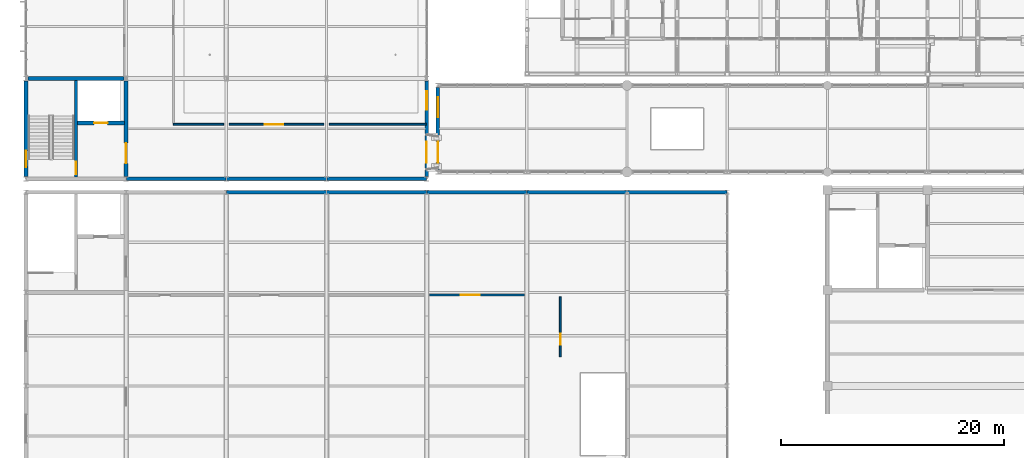
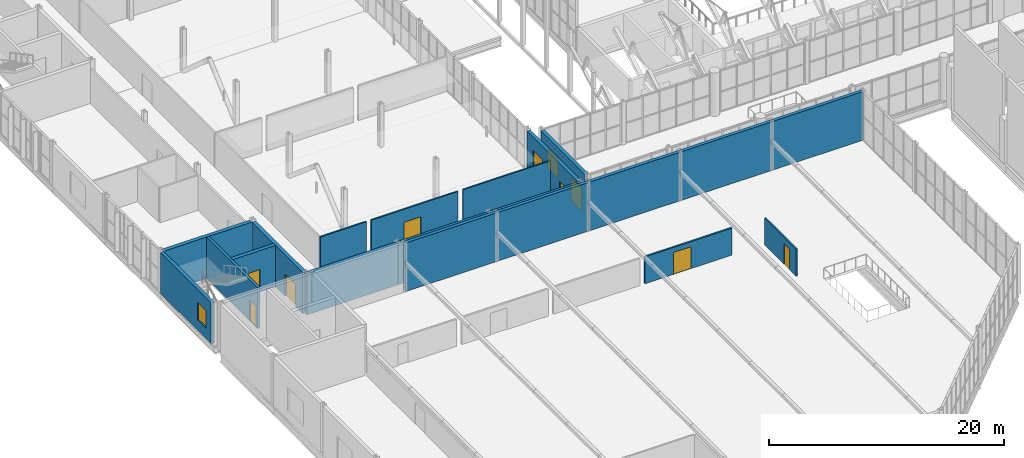
# One storey, part 112 of 134: 20 walls, 8 doors, 3 windows, 11 openings.
"""IFC4 building model written with IfcOpenShell, lengths in metres."""

from ifc_helpers import new_model, si_unit, direction, frame, frame_2d, origin, place, context, subcontext, project, spatial, rectangle, extrude, material, layer, layer_set, type_object, element, fill, save


model = new_model("IFC4")

# Units and contexts
model_context = context("Model", 3, precision=1e-05, world=origin(), true_north=direction((0.0, 1.0)))
body_context = subcontext(model_context, "Body", "Model", "MODEL_VIEW")
ifc_project = project(units=[si_unit("LENGTHUNIT", "METRE"), si_unit("AREAUNIT", "SQUARE_METRE"), si_unit("VOLUMEUNIT", "CUBIC_METRE"), si_unit("PLANEANGLEUNIT", "RADIAN"), si_unit("MASSUNIT", "GRAM", prefix="KILO")], contexts=[model_context])

# Site, building, storey
site_placement = place(None, origin())
site = spatial("IfcSite", under=ifc_project, at=site_placement, CompositionType="ELEMENT")
building_placement = place(site_placement, origin())
building = spatial("IfcBuilding", under=site, at=building_placement, Name="Cazmaro Siding Exhibition Halls", CompositionType="ELEMENT")
storey_placement = place(building_placement, frame((0.0, 0.0, 12.0)))
storey = spatial("IfcBuildingStorey", under=building, at=storey_placement, Name="L02", CompositionType="ELEMENT", Elevation=12.0)

# Wall, openings, door, window
ifc_material_1 = material(Name="Concrete f'c 45 MPa", Category="concrete")
ifc_layer_1 = layer(ifc_material_1, 0.320068359375)
ifc_layer_set_1 = layer_set([ifc_layer_1], Name="Concrete f'c 45 MPa")
wall_type_1 = type_object("IfcWallType", Name="EW-01", PredefinedType="STANDARD", material=ifc_layer_set_1)
wall_1_placement = place(storey_placement, frame((37.0, 55.3759765625, 0.0), z_axis=(0.0, 0.0, 1.0), x_axis=(0.0, 1.0, 0.0)))
wall_1 = element("IfcWall", 1, at=wall_1_placement, inside=storey, type_object=wall_type_1, Name="Concourse Bridge SB-04 Portal L02 EW-01 WL-E0186", PredefinedType="STANDARD", context=body_context, shape_type="SweptSolid", body=[
    extrude(rectangle(XDim=7.447998046875, YDim=0.320068359375, at=frame_2d((3.72412109375, 0.0))), origin(), (0.0, 0.0, 1.0), 4.324951171875),
])
opening_1_placement = place(wall_1_placement, frame((0.674072265625, 0.0, 0.0)))
opening_1 = element("IfcOpeningElement", 2, at=opening_1_placement, cuts=wall_1, Name="Opening D-E053", PredefinedType="OPENING", context=body_context, shape_type="SweptSolid", body=[
    extrude(rectangle(XDim=1.89990234375, YDim=2.3798828125, at=frame_2d((0.949951171875, 1.18994140625))), frame((0.0, 0.169921875, 0.0), z_axis=(0.0, -1.0, 0.0), x_axis=(1.0, 0.0, 0.0)), (0.0, 0.0, 1.0), 0.340087890625),
])
opening_2_placement = place(wall_1_placement, frame((4.748046875, 0.0, 1.0)))
opening_2 = element("IfcOpeningElement", 3, at=opening_2_placement, cuts=wall_1, Name="Opening W-056", PredefinedType="OPENING", context=body_context, shape_type="SweptSolid", body=[
    extrude(rectangle(XDim=1.800048828125, YDim=1.949951171875, at=frame_2d((0.89990234375, 0.97509765625))), frame((0.0, 0.169921875, 0.0), z_axis=(0.0, -1.0, 0.0), x_axis=(1.0, 0.0, 0.0)), (0.0, 0.0, 1.0), 0.340087890625),
])
ifc_material_2 = material(Name="Anodized Bronze Glazed Entrance Door", Category="aluminium")
door_type_1 = type_object("IfcDoorType", Name="ED-08", OperationType="DOUBLE_DOOR_SLIDING", PredefinedType="DOOR", material=ifc_material_2)
door_1_placement = place(opening_1_placement, origin())
door_1 = element("IfcDoor", 4, at=door_1_placement, inside=storey, type_object=door_type_1, Name="Exterior door D-E053 (ED-08)", OperationType="DOUBLE_DOOR_SLIDING", OverallHeight=2.3798828125, OverallWidth=1.89990234375, PredefinedType="DOOR", context=body_context, shape_type="SweptSolid", body=[
    extrude(rectangle(XDim=1.89990234375, YDim=2.3798828125, at=frame_2d((0.949951171875, 1.18994140625))), frame((0.0, 0.02490234375, 0.0), z_axis=(0.0, -1.0, 0.0), x_axis=(1.0, 0.0, 0.0)), (0.0, 0.0, 1.0), 0.050048828125),
])
fill(opening_1, door_1)
ifc_material_3 = material(Name="Thermally Broken Aluminum Low-E Window Unit", Category="aluminium")
window_type_1 = type_object("IfcWindowType", Name="WT-03", PartitioningType="SINGLE_PANEL", PredefinedType="WINDOW", material=ifc_material_3)
window_1_placement = place(opening_2_placement, origin())
window_1 = element("IfcWindow", 5, at=window_1_placement, inside=storey, type_object=window_type_1, Name="Window W-056 (WT-03)", OverallHeight=1.949951171875, OverallWidth=1.800048828125, PartitioningType="SINGLE_PANEL", PredefinedType="WINDOW", context=body_context, shape_type="SweptSolid", body=[
    extrude(rectangle(XDim=1.800048828125, YDim=1.949951171875, at=frame_2d((0.89990234375, 0.97509765625))), frame((0.0, 0.030029296875, 0.0), z_axis=(0.0, -1.0, 0.0), x_axis=(1.0, 0.0, 0.0)), (0.0, 0.0, 1.0), 0.06005859375),
])
fill(opening_2, window_1)

# Walls
for number, where, z_axis, x_axis, name in (
    (6, (18.014892578125, 53.39990234375, 0.0), (0.0, 0.0, 1.0), (1.0, 0.0, 0.0), "Congress North Banquet Wall EW-01 WL-E0228"),
    (7, (27.014892578125, 53.39990234375, 0.0), (0.0, 0.0, 1.0), (1.0, 0.0, 0.0), "Congress North Banquet Wall EW-01 WL-E0231"),
    (8, (36.014892578125, 53.39990234375, 0.0), (0.0, 0.0, 1.0), (1.0, 0.0, 0.0), "Congress North Banquet Wall EW-01 WL-E0234"),
    (9, (45.014892578125, 53.39990234375, 0.0), (0.0, 0.0, 1.0), (1.0, 0.0, 0.0), "Congress North Banquet Wall EW-01 WL-E0237"),
    (10, (54.014892578125, 53.39990234375, 0.0), (0.0, 0.0, 1.0), (1.0, 0.0, 0.0), "Congress North Banquet Wall EW-01 WL-E0240"),
):
    element("IfcWall", number, at=place(storey_placement, frame(where, z_axis=z_axis, x_axis=x_axis)), inside=storey, type_object=wall_type_1, Name=name, PredefinedType="STANDARD", context=body_context, shape_type="SweptSolid", body=[
        extrude(rectangle(XDim=8.97021484375, YDim=0.320068359375, at=frame_2d((4.485107421875, 0.0))), origin(), (0.0, 0.0, 1.0), 5.050048828125),
    ])

# Wall, opening, window
wall_2_placement = place(storey_placement, frame((0.0, 54.7939453125, 0.0), z_axis=(0.0, 0.0, 1.0), x_axis=(0.0, 1.0, 0.0)))
wall_2 = element("IfcWall", 11, at=wall_2_placement, inside=storey, type_object=wall_type_1, Name="West Wing Core Street Wall L02 EW-01 WL-E0280", PredefinedType="STANDARD", context=body_context, shape_type="SweptSolid", body=[
    extrude(rectangle(XDim=8.612060546875, YDim=0.320068359375, at=frame_2d((4.30615234375, 0.0))), origin(), (0.0, 0.0, 1.0), 4.280029296875),
])
opening_3_placement = place(wall_2_placement, frame((0.85009765625, 0.0, 1.10009765625)))
opening_3 = element("IfcOpeningElement", 12, at=opening_3_placement, cuts=wall_2, Name="Opening W-087", PredefinedType="OPENING", context=body_context, shape_type="SweptSolid", body=[
    extrude(rectangle(XDim=1.5, YDim=1.800048828125, at=frame_2d((0.75, 0.89990234375))), frame((0.0, 0.169921875, 0.0), z_axis=(0.0, -1.0, 0.0), x_axis=(1.0, 0.0, 0.0)), (0.0, 0.0, 1.0), 0.340087890625),
])
ifc_material_4 = material(Name="Thermally Broken Aluminum Low-E Window Unit", Category="aluminium")
window_type_2 = type_object("IfcWindowType", Name="WT-01", PartitioningType="SINGLE_PANEL", PredefinedType="WINDOW", material=ifc_material_4)
window_2_placement = place(opening_3_placement, origin())
window_2 = element("IfcWindow", 13, at=window_2_placement, inside=storey, type_object=window_type_2, Name="Window W-087 (WT-01)", OverallHeight=1.800048828125, OverallWidth=1.5, PartitioningType="SINGLE_PANEL", PredefinedType="WINDOW", context=body_context, shape_type="SweptSolid", body=[
    extrude(rectangle(XDim=1.5, YDim=1.800048828125, at=frame_2d((0.75, 0.89990234375))), frame((0.0, 0.030029296875, 0.0), z_axis=(0.0, -1.0, 0.0), x_axis=(1.0, 0.0, 0.0)), (0.0, 0.0, 1.0), 0.06005859375),
])
fill(opening_3, window_2)

# Wall, openings, door, window
wall_3_placement = place(storey_placement, frame((36.0, 63.406005859375, 0.0), z_axis=(0.0, 0.0, 1.0), x_axis=(0.0, -1.0, 0.0)))
wall_3 = element("IfcWall", 14, at=wall_3_placement, inside=storey, type_object=wall_type_1, Name="Concourse Bridge Portal Wall L02 EW-01 WL-E0281", PredefinedType="STANDARD", context=body_context, shape_type="SweptSolid", body=[
    extrude(rectangle(XDim=8.612060546875, YDim=0.320068359375, at=frame_2d((4.30615234375, 0.0))), origin(), (0.0, 0.0, 1.0), 4.280029296875),
])
opening_4_placement = place(wall_3_placement, frame((5.4560546875, 0.0, 0.0)))
opening_4 = element("IfcOpeningElement", 15, at=opening_4_placement, cuts=wall_3, Name="Opening D-E071", PredefinedType="OPENING", context=body_context, shape_type="SweptSolid", body=[
    extrude(rectangle(XDim=1.89990234375, YDim=2.3798828125, at=frame_2d((0.949951171875, 1.18994140625))), frame((0.0, 0.169921875, 0.0), z_axis=(0.0, -1.0, 0.0), x_axis=(1.0, 0.0, 0.0)), (0.0, 0.0, 1.0), 0.340087890625),
])
opening_5_placement = place(wall_3_placement, frame((0.9560546875, 0.0, 1.10009765625)))
opening_5 = element("IfcOpeningElement", 16, at=opening_5_placement, cuts=wall_3, Name="Opening W-088", PredefinedType="OPENING", context=body_context, shape_type="SweptSolid", body=[
    extrude(rectangle(XDim=1.64990234375, YDim=1.800048828125, at=frame_2d((0.824951171875, 0.89990234375))), frame((0.0, 0.169921875, 0.0), z_axis=(0.0, -1.0, 0.0), x_axis=(1.0, 0.0, 0.0)), (0.0, 0.0, 1.0), 0.340087890625),
])
door_2_placement = place(opening_4_placement, origin())
door_2 = element("IfcDoor", 17, at=door_2_placement, inside=storey, type_object=door_type_1, Name="Exterior door D-E071 (ED-08)", OperationType="DOUBLE_DOOR_SLIDING", OverallHeight=2.3798828125, OverallWidth=1.89990234375, PredefinedType="DOOR", context=body_context, shape_type="SweptSolid", body=[
    extrude(rectangle(XDim=1.89990234375, YDim=2.3798828125, at=frame_2d((0.949951171875, 1.18994140625))), frame((0.0, 0.02490234375, 0.0), z_axis=(0.0, -1.0, 0.0), x_axis=(1.0, 0.0, 0.0)), (0.0, 0.0, 1.0), 0.050048828125),
])
fill(opening_4, door_2)
ifc_material_5 = material(Name="Thermally Broken Aluminum Low-E Window Unit", Category="aluminium")
window_type_3 = type_object("IfcWindowType", Name="WT-02", PartitioningType="SINGLE_PANEL", PredefinedType="WINDOW", material=ifc_material_5)
window_3_placement = place(opening_5_placement, origin())
window_3 = element("IfcWindow", 18, at=window_3_placement, inside=storey, type_object=window_type_3, Name="Window W-088 (WT-02)", OverallHeight=1.800048828125, OverallWidth=1.64990234375, PartitioningType="SINGLE_PANEL", PredefinedType="WINDOW", context=body_context, shape_type="SweptSolid", body=[
    extrude(rectangle(XDim=1.64990234375, YDim=1.800048828125, at=frame_2d((0.824951171875, 0.89990234375))), frame((0.0, 0.030029296875, 0.0), z_axis=(0.0, -1.0, 0.0), x_axis=(1.0, 0.0, 0.0)), (0.0, 0.0, 1.0), 0.06005859375),
])
fill(opening_5, window_3)

# Walls
for number, where, z_axis, x_axis, name in (
    (19, (17.98095703125, 54.60009765625, 0.0), (0.0, 0.0, 1.0), (-1.0, 0.0, 0.0), "West Wing South Seismic Wall L02 EW-01 WL-E0286"),
    (20, (26.98095703125, 54.60009765625, 0.0), (0.0, 0.0, 1.0), (-1.0, 0.0, 0.0), "West Wing South Seismic Wall L02 EW-01 WL-E0287"),
    (21, (35.98095703125, 54.60009765625, 0.0), (0.0, 0.0, 1.0), (-1.0, 0.0, 0.0), "West Wing South Seismic Wall L02 EW-01 WL-E0288"),
):
    element("IfcWall", number, at=place(storey_placement, frame(where, z_axis=z_axis, x_axis=x_axis)), inside=storey, type_object=wall_type_1, Name=name, PredefinedType="STANDARD", context=body_context, shape_type="SweptSolid", body=[
        extrude(rectangle(XDim=8.9619140625, YDim=0.320068359375, at=frame_2d((4.48095703125, 0.0))), origin(), (0.0, 0.0, 1.0), 4.280029296875),
    ])
ifc_material_6 = material(Name="Fire-Rated Gypsum Board on Cold-Formed Steel Studs", Category="steel")
ifc_layer_2 = layer(ifc_material_6, 0.14501953125)
ifc_layer_set_2 = layer_set([ifc_layer_2], Name="Fire-Rated Gypsum Board on Cold-Formed Steel Studs")
wall_type_2 = type_object("IfcWallType", Name="PW-01", PredefinedType="PARTITIONING", material=ifc_layer_set_2)
wall_4_placement = place(storey_placement, frame((13.25, 59.5, 0.0), z_axis=(0.0, 0.0, 1.0), x_axis=(1.0, 0.0, 0.0)))
element("IfcWall", 22, at=wall_4_placement, inside=storey, type_object=wall_type_2, Name="West Wing South Cross-Corridor Wall L02 PW-01 WL-I0240", PredefinedType="PARTITIONING", context=body_context, shape_type="SweptSolid", body=[
    extrude(rectangle(XDim=4.5, YDim=0.14501953125, at=frame_2d((2.25, 0.0))), origin(), (0.0, 0.0, 1.0), 3.60009765625),
])

# Wall, opening, door
wall_5_placement = place(storey_placement, frame((18.25, 59.5, 0.0), z_axis=(0.0, 0.0, 1.0), x_axis=(1.0, 0.0, 0.0)))
wall_5 = element("IfcWall", 23, at=wall_5_placement, inside=storey, type_object=wall_type_2, Name="West Wing South Cross-Corridor Wall L02 PW-01 WL-I0241", PredefinedType="PARTITIONING", context=body_context, shape_type="SweptSolid", body=[
    extrude(rectangle(XDim=8.5, YDim=0.14501953125, at=frame_2d((4.25, 0.0))), origin(), (0.0, 0.0, 1.0), 3.60009765625),
])
opening_6_placement = place(wall_5_placement, frame((3.199951171875, 0.0, 0.0)))
opening_6 = element("IfcOpeningElement", 24, at=opening_6_placement, cuts=wall_5, Name="Opening D-I113", PredefinedType="OPENING", context=body_context, shape_type="SweptSolid", body=[
    extrude(rectangle(XDim=1.64990234375, YDim=2.25, at=frame_2d((0.824951171875, 1.125))), frame((0.0, 0.08251953125, 0.0), z_axis=(0.0, -1.0, 0.0), x_axis=(1.0, 0.0, 0.0)), (0.0, 0.0, 1.0), 0.1650390625),
])
ifc_material_7 = material(Name="Fire-Rated Painted Hollow Metal Door", Category="steel")
door_type_2 = type_object("IfcDoorType", Name="ID-05", OperationType="DOUBLE_DOOR_SINGLE_SWING", PredefinedType="DOOR", material=ifc_material_7)
door_3_placement = place(opening_6_placement, origin())
door_3 = element("IfcDoor", 25, at=door_3_placement, inside=storey, type_object=door_type_2, Name="Interior door D-I113 (ID-05)", OperationType="DOUBLE_DOOR_SINGLE_SWING", OverallHeight=2.25, OverallWidth=1.64990234375, PredefinedType="DOOR", context=body_context, shape_type="SweptSolid", body=[
    extrude(rectangle(XDim=1.64990234375, YDim=2.25, at=frame_2d((0.824951171875, 1.125))), frame((0.0, 0.02490234375, 0.0), z_axis=(0.0, -1.0, 0.0), x_axis=(1.0, 0.0, 0.0)), (0.0, 0.0, 1.0), 0.050048828125),
])
fill(opening_6, door_3)

# Wall
wall_6_placement = place(storey_placement, frame((27.25, 59.5, 0.0), z_axis=(0.0, 0.0, 1.0), x_axis=(1.0, 0.0, 0.0)))
element("IfcWall", 26, at=wall_6_placement, inside=storey, type_object=wall_type_2, Name="West Wing South Cross-Corridor Wall L02 PW-01 WL-I0242", PredefinedType="PARTITIONING", context=body_context, shape_type="SweptSolid", body=[
    extrude(rectangle(XDim=8.68994140625, YDim=0.14501953125, at=frame_2d((4.344970703125, 0.0))), origin(), (0.0, 0.0, 1.0), 3.60009765625),
])

# Wall, opening, door
wall_7_placement = place(storey_placement, frame((48.0, 38.60009765625, 0.0), z_axis=(0.0, 0.0, 1.0), x_axis=(0.0, 1.0, 0.0)))
wall_7 = element("IfcWall", 27, at=wall_7_placement, inside=storey, type_object=wall_type_2, Name="Banquet Stair Smoke Vestibule L02 PW-01 WL-I0345", PredefinedType="PARTITIONING", context=body_context, shape_type="SweptSolid", body=[
    extrude(rectangle(XDim=5.39990234375, YDim=0.14501953125, at=frame_2d((2.699951171875, 0.0))), origin(), (0.0, 0.0, 1.0), 2.800048828125),
])
opening_7_placement = place(wall_7_placement, frame((1.10009765625, 0.0, 0.0)))
opening_7 = element("IfcOpeningElement", 28, at=opening_7_placement, cuts=wall_7, Name="Opening D-I168", PredefinedType="OPENING", context=body_context, shape_type="SweptSolid", body=[
    extrude(rectangle(XDim=0.97998046875, YDim=2.14990234375, at=frame_2d((0.489990234375, 1.074951171875))), frame((0.0, 0.08251953125, 0.0), z_axis=(0.0, -1.0, 0.0), x_axis=(1.0, 0.0, 0.0)), (0.0, 0.0, 1.0), 0.1650390625),
])
ifc_material_8 = material(Name="Fire-Rated Painted Hollow Metal Door", Category="steel")
door_type_3 = type_object("IfcDoorType", Name="ID-03", OperationType="NOTDEFINED", PredefinedType="DOOR", material=ifc_material_8)
door_4_placement = place(opening_7_placement, origin())
door_4 = element("IfcDoor", 29, at=door_4_placement, inside=storey, type_object=door_type_3, Name="Interior door D-I168 (ID-03)", OperationType="SINGLE_SWING_LEFT", OverallHeight=2.14990234375, OverallWidth=0.97998046875, PredefinedType="DOOR", context=body_context, shape_type="SweptSolid", body=[
    extrude(rectangle(XDim=0.97998046875, YDim=2.14990234375, at=frame_2d((0.489990234375, 1.074951171875))), frame((0.0, 0.02490234375, 0.0), z_axis=(0.0, -1.0, 0.0), x_axis=(1.0, 0.0, 0.0)), (0.0, 0.0, 1.0), 0.050048828125),
])
fill(opening_7, door_4)

ifc_material_9 = material(Name="Moisture-Resistant Gypsum Board on Acoustic Steel Studs", Category="steel")
ifc_layer_3 = layer(ifc_material_9, 0.1650390625)
ifc_layer_set_3 = layer_set([ifc_layer_3], Name="Moisture-Resistant Gypsum Board on Acoustic Steel Studs")
wall_type_3 = type_object("IfcWallType", Name="PW-02", PredefinedType="PARTITIONING", material=ifc_layer_set_3)
wall_8_placement = place(storey_placement, frame((36.25, 44.14990234375, 0.0), z_axis=(0.0, 0.0, 1.0), x_axis=(1.0, 0.0, 0.0)))
wall_8 = element("IfcWall", 30, at=wall_8_placement, inside=storey, type_object=wall_type_3, Name="Banquet Pre-Function Wall PW-02 WL-I0356", PredefinedType="PARTITIONING", context=body_context, shape_type="SweptSolid", body=[
    extrude(rectangle(XDim=8.550048828125, YDim=0.1650390625, at=frame_2d((4.27490234375, 0.0))), origin(), (0.0, 0.0, 1.0), 2.800048828125),
])
opening_8_placement = place(wall_8_placement, frame((2.800048828125, 0.0, 0.0)))
opening_8 = element("IfcOpeningElement", 31, at=opening_8_placement, cuts=wall_8, Name="Opening D-I175", PredefinedType="OPENING", context=body_context, shape_type="SweptSolid", body=[
    extrude(rectangle(XDim=1.719970703125, YDim=2.280029296875, at=frame_2d((0.85986328125, 1.14013671875))), frame((0.0, 0.092529296875, 0.0), z_axis=(0.0, -1.0, 0.0), x_axis=(1.0, 0.0, 0.0)), (0.0, 0.0, 1.0), 0.18505859375),
])
ifc_material_10 = material(Name="Fire-Rated Painted Hollow Metal Door", Category="steel")
door_type_4 = type_object("IfcDoorType", Name="ID-10", OperationType="DOUBLE_DOOR_SINGLE_SWING", PredefinedType="DOOR", material=ifc_material_10)
door_5_placement = place(opening_8_placement, origin())
door_5 = element("IfcDoor", 32, at=door_5_placement, inside=storey, type_object=door_type_4, Name="Interior door D-I175 (ID-10)", OperationType="DOUBLE_DOOR_SINGLE_SWING", OverallHeight=2.280029296875, OverallWidth=1.719970703125, PredefinedType="DOOR", context=body_context, shape_type="SweptSolid", body=[
    extrude(rectangle(XDim=1.719970703125, YDim=2.280029296875, at=frame_2d((0.85986328125, 1.14013671875))), frame((0.0, 0.02490234375, 0.0), z_axis=(0.0, -1.0, 0.0), x_axis=(1.0, 0.0, 0.0)), (0.0, 0.0, 1.0), 0.050048828125),
])
fill(opening_8, door_5)

ifc_material_11 = material(Name="Concrete f'c 50 MPa", Category="concrete")
ifc_layer_4 = layer(ifc_material_11, 0.360107421875)
ifc_layer_set_4 = layer_set([ifc_layer_4], Name="Concrete f'c 50 MPa")
wall_type_4 = type_object("IfcWallType", Name="SW-01", PredefinedType="SHEAR", material=ifc_layer_set_4)
wall_9_placement = place(storey_placement, frame((9.0, 54.794921875, 0.0), z_axis=(0.0, 0.0, 1.0), x_axis=(0.0, 1.0, 0.0)))
wall_9 = element("IfcWall", 33, at=wall_9_placement, inside=storey, type_object=wall_type_4, Name="Core C7 East Shear Wall SW-01 WL-I0084", PredefinedType="SHEAR", context=body_context, shape_type="SweptSolid", body=[
    extrude(rectangle(XDim=8.610107421875, YDim=0.360107421875, at=frame_2d((4.30517578125, 0.0))), origin(), (0.0, 0.0, 1.0), 4.280029296875),
])
opening_9_placement = place(wall_9_placement, frame((1.205078125, 0.0, 0.0)))
opening_9 = element("IfcOpeningElement", 34, at=opening_9_placement, cuts=wall_9, Name="Opening D-I042", PredefinedType="OPENING", context=body_context, shape_type="SweptSolid", body=[
    extrude(rectangle(XDim=1.800048828125, YDim=2.300048828125, at=frame_2d((0.89990234375, 1.14990234375))), frame((0.0, 0.18994140625, 0.0), z_axis=(0.0, -1.0, 0.0), x_axis=(1.0, 0.0, 0.0)), (0.0, 0.0, 1.0), 0.380126953125),
])
ifc_material_12 = material(Name="Fire-Rated Painted Hollow Metal Door", Category="steel")
door_type_5 = type_object("IfcDoorType", Name="ID-02", OperationType="DOUBLE_DOOR_SINGLE_SWING", PredefinedType="DOOR", material=ifc_material_12)
door_6_placement = place(opening_9_placement, origin())
door_6 = element("IfcDoor", 35, at=door_6_placement, inside=storey, type_object=door_type_5, Name="Interior door D-I042 (ID-02)", OperationType="DOUBLE_DOOR_SINGLE_SWING", OverallHeight=2.300048828125, OverallWidth=1.800048828125, PredefinedType="DOOR", context=body_context, shape_type="SweptSolid", body=[
    extrude(rectangle(XDim=1.800048828125, YDim=2.300048828125, at=frame_2d((0.89990234375, 1.14990234375))), frame((0.0, 0.02490234375, 0.0), z_axis=(0.0, -1.0, 0.0), x_axis=(1.0, 0.0, 0.0)), (0.0, 0.0, 1.0), 0.050048828125),
])
fill(opening_9, door_6)

# Wall
wall_10_placement = place(storey_placement, frame((0.196044921875, 63.60009765625, 0.0), z_axis=(0.0, 0.0, 1.0), x_axis=(1.0, 0.0, 0.0)))
element("IfcWall", 36, at=wall_10_placement, inside=storey, type_object=wall_type_4, Name="Core C7 North Shear Wall SW-01 WL-I0085", PredefinedType="SHEAR", context=body_context, shape_type="SweptSolid", body=[
    extrude(rectangle(XDim=8.60791015625, YDim=0.360107421875, at=frame_2d((4.303955078125, 0.0))), origin(), (0.0, 0.0, 1.0), 4.280029296875),
])

# Wall, opening, door
wall_11_placement = place(storey_placement, frame((4.614990234375, 59.60009765625, 0.0), z_axis=(0.0, 0.0, 1.0), x_axis=(1.0, 0.0, 0.0)))
wall_11 = element("IfcWall", 37, at=wall_11_placement, inside=storey, type_object=wall_type_4, Name="Core C7 Lift Shaft Wall SW-01 WL-I0087", PredefinedType="SHEAR", context=body_context, shape_type="SweptSolid", body=[
    extrude(rectangle(XDim=4.219970703125, YDim=0.360107421875, at=frame_2d((2.10986328125, 0.0))), origin(), (0.0, 0.0, 1.0), 4.280029296875),
])
opening_10_placement = place(wall_11_placement, frame((1.510009765625, 0.0, 0.0)))
opening_10 = element("IfcOpeningElement", 38, at=opening_10_placement, cuts=wall_11, Name="Opening LD-021", PredefinedType="OPENING", context=body_context, shape_type="SweptSolid", body=[
    extrude(rectangle(XDim=1.199951171875, YDim=2.300048828125, at=frame_2d((0.60009765625, 1.14990234375))), frame((0.0, 0.18994140625, 0.0), z_axis=(0.0, -1.0, 0.0), x_axis=(1.0, 0.0, 0.0)), (0.0, 0.0, 1.0), 0.380126953125),
])
ifc_material_13 = material(Name="Stainless Steel Elevator Landing Door", Category="steel")
door_type_6 = type_object("IfcDoorType", Name="LD-01", OperationType="SLIDING_TO_LEFT", PredefinedType="DOOR", material=ifc_material_13)
door_7_placement = place(opening_10_placement, origin())
door_7 = element("IfcDoor", 39, at=door_7_placement, inside=storey, type_object=door_type_6, Name="Interior door LD-021 (LD-01)", OperationType="SLIDING_TO_LEFT", OverallHeight=2.300048828125, OverallWidth=1.199951171875, PredefinedType="DOOR", context=body_context, shape_type="SweptSolid", body=[
    extrude(rectangle(XDim=1.199951171875, YDim=2.300048828125, at=frame_2d((0.60009765625, 1.14990234375))), frame((0.0, 0.02490234375, 0.0), z_axis=(0.0, -1.0, 0.0), x_axis=(1.0, 0.0, 0.0)), (0.0, 0.0, 1.0), 0.050048828125),
])
fill(opening_10, door_7)

ifc_material_14 = material(Name="Concrete f'c 50 MPa", Category="concrete")
ifc_layer_5 = layer(ifc_material_14, 0.25)
ifc_layer_set_5 = layer_set([ifc_layer_5], Name="Concrete f'c 50 MPa")
wall_type_5 = type_object("IfcWallType", Name="SW-02", PredefinedType="SHEAR", material=ifc_layer_set_5)
wall_12_placement = place(storey_placement, frame((4.5, 54.764892578125, 0.0), z_axis=(0.0, 0.0, 1.0), x_axis=(0.0, 1.0, 0.0)))
wall_12 = element("IfcWall", 40, at=wall_12_placement, inside=storey, type_object=wall_type_5, Name="Core C7 Stair-Lobby Divider SW-02 WL-I0086", PredefinedType="SHEAR", context=body_context, shape_type="SweptSolid", body=[
    extrude(rectangle(XDim=8.670166015625, YDim=0.25, at=frame_2d((4.3349609375, 0.0))), origin(), (0.0, 0.0, 1.0), 4.280029296875),
])
opening_11_placement = place(wall_12_placement, frame((0.25, 0.0, 0.0)))
opening_11 = element("IfcOpeningElement", 41, at=opening_11_placement, cuts=wall_12, Name="Opening D-I041", PredefinedType="OPENING", context=body_context, shape_type="SweptSolid", body=[
    extrude(rectangle(XDim=1.10009765625, YDim=2.199951171875, at=frame_2d((0.550048828125, 1.10009765625))), frame((0.0, 0.135009765625, 0.0), z_axis=(0.0, -1.0, 0.0), x_axis=(1.0, 0.0, 0.0)), (0.0, 0.0, 1.0), 0.27001953125),
])
ifc_material_15 = material(Name="Fire-Rated Painted Hollow Metal Door", Category="steel")
door_type_7 = type_object("IfcDoorType", Name="ID-01", OperationType="NOTDEFINED", PredefinedType="DOOR", material=ifc_material_15)
door_8_placement = place(opening_11_placement, origin())
door_8 = element("IfcDoor", 42, at=door_8_placement, inside=storey, type_object=door_type_7, Name="Interior door D-I041 (ID-01)", OperationType="SINGLE_SWING_RIGHT", OverallHeight=2.199951171875, OverallWidth=1.10009765625, PredefinedType="DOOR", context=body_context, shape_type="SweptSolid", body=[
    extrude(rectangle(XDim=1.10009765625, YDim=2.199951171875, at=frame_2d((0.550048828125, 1.10009765625))), frame((0.0, 0.02490234375, 0.0), z_axis=(0.0, -1.0, 0.0), x_axis=(1.0, 0.0, 0.0)), (0.0, 0.0, 1.0), 0.050048828125),
])
fill(opening_11, door_8)

save(model, "model.ifc")
